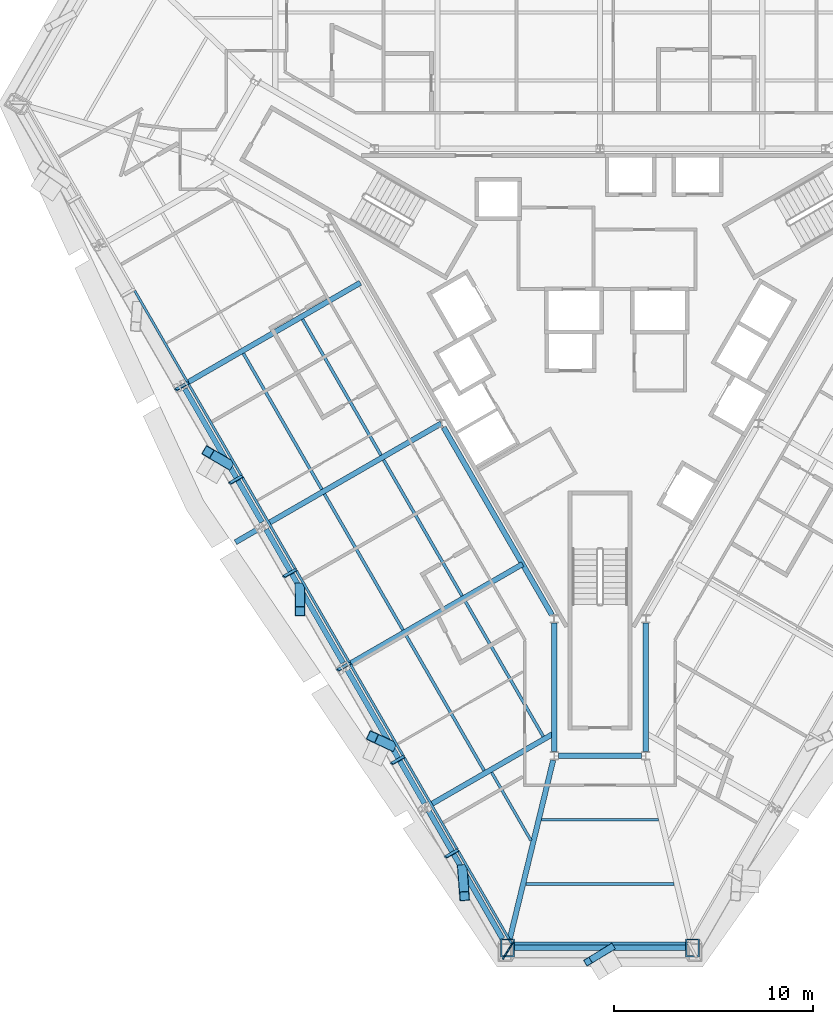
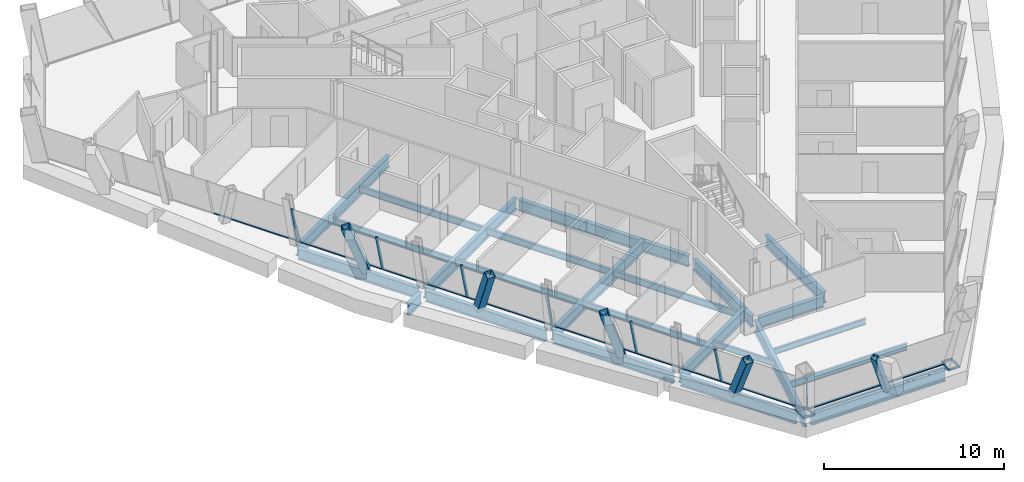
# One storey, part 3 of 14: 24 beams, 22 members, 2 elements without a shape of their own.
"""IFC4 building model written with IfcOpenShell, lengths in metres."""

from ifc_helpers import new_model, si_unit, direction, frame, origin, origin_2d, place, context, subcontext, project, spatial, rectangle, hollow_rectangle, i_section, extrude, material, material_profile, profile_set, type_object, element, aggregate, save


model = new_model("IFC4")

# Units and contexts
model_context = context("Model", 3, precision=1e-05, world=origin(), true_north=direction((0.0, 1.0)))
body_context = subcontext(model_context, "Body", "Model", "MODEL_VIEW")
ifc_project = project(units=[si_unit("LENGTHUNIT", "METRE"), si_unit("AREAUNIT", "SQUARE_METRE"), si_unit("VOLUMEUNIT", "CUBIC_METRE"), si_unit("PLANEANGLEUNIT", "RADIAN"), si_unit("MASSUNIT", "GRAM", prefix="KILO")], contexts=[model_context])

# Site, building, storey
site_placement = place(None, origin())
site = spatial("IfcSite", under=ifc_project, at=site_placement, CompositionType="ELEMENT")
building_placement = place(site_placement, origin())
building = spatial("IfcBuilding", under=site, at=building_placement, Name="Verrane Prism Tower", CompositionType="ELEMENT")
storey_placement = place(building_placement, frame((0.0, 0.0, 128.800048828125)))
storey = spatial("IfcBuildingStorey", under=building, at=storey_placement, Name="L31", CompositionType="ELEMENT", Elevation=128.800048828125)

# Member
ifc_material_1 = material(Name="Steel A500 Grade C", Category="steel")
ifc_material_profile_1 = material_profile(ifc_material_1, hollow_rectangle(XDim=0.355712890625, YDim=0.355712890625, WallThickness=0.0126953125, InnerFilletRadius=0.00634765625, OuterFilletRadius=0.01904296875, at=origin_2d()), Name="HSS14x14x1/2")
ifc_profile_set_1 = profile_set([ifc_material_profile_1], Name="Steel A500 Grade C")
member_type_1 = type_object("IfcMemberType", Name="Chamfer brace HSS14x14x1/2", PredefinedType="BRACE", material=ifc_profile_set_1)
member_1_placement = place(storey_placement, frame((0.548095703125, -30.93994140625, -0.2451171875), z_axis=(-0.35070035714, -0.212570385607, 0.912043360079), x_axis=(0.518345791571, -0.85517111759, 0.0)))
element("IfcMember", 1, at=member_1_placement, inside=storey, type_object=member_type_1, Name="Chamfer brace S0 L31", PredefinedType="BRACE", context=body_context, shape_type="SweptSolid", body=[
    extrude(hollow_rectangle(XDim=0.355712890625, YDim=0.355712890625, WallThickness=0.0126953125, InnerFilletRadius=0.00634765625, OuterFilletRadius=0.01904296875, at=origin_2d()), origin(), (0.0, 0.0, 1.0), 3.292724609375),
])

# Beams
ifc_material_2 = material(Name="Steel A992", Category="steel")
ifc_material_profile_2 = material_profile(ifc_material_2, i_section(OverallWidth=0.2666015625, OverallDepth=0.76708984375, WebThickness=0.014892578125, FlangeThickness=0.023681640625, FilletRadius=0.0166015625, at=origin_2d()), Name="W30x124")
ifc_profile_set_2 = profile_set([ifc_material_profile_2], Name="Steel A992")
beam_type_1 = type_object("IfcBeamType", Name="Chamfer spandrel beam W30x124", PredefinedType="SPANDREL", material=ifc_profile_set_2)
beam_1_placement = place(storey_placement, frame((-4.2900390625, -30.93994140625, -0.54345703125), z_axis=(1.0, 0.0, 0.0), x_axis=(0.0, 1.0, 0.0)))
element("IfcBeam", 2, at=beam_1_placement, inside=storey, type_object=beam_type_1, Name="Chamfer spandrel beam L31", PredefinedType="SPANDREL", context=body_context, shape_type="SweptSolid", body=[
    extrude(i_section(OverallWidth=0.2666015625, OverallDepth=0.76708984375, WebThickness=0.014892578125, FlangeThickness=0.023681640625, FilletRadius=0.0166015625, at=origin_2d()), origin(), (0.0, 0.0, 1.0), 8.580078125),
])
ifc_material_3 = material(Name="Steel A992", Category="steel")
ifc_material_profile_3 = material_profile(ifc_material_3, i_section(OverallWidth=0.2666015625, OverallDepth=0.7568359375, WebThickness=0.013916015625, FlangeThickness=0.019287109375, FilletRadius=0.0166015625, at=origin_2d()), Name="W30x108")
ifc_profile_set_3 = profile_set([ifc_material_profile_3], Name="Steel A992")
beam_type_2 = type_object("IfcBeamType", Name="Core ring girder W30x108", PredefinedType="BEAM", material=ifc_profile_set_3)
beam_2_placement = place(storey_placement, frame((-7.85498046875, -4.79931640625, -0.628662109375), z_axis=(0.500034555306, -0.86600545235, 0.0), x_axis=(0.86600545235, 0.500034555306, 0.0)))
element("IfcBeam", 3, at=beam_2_placement, inside=storey, type_object=beam_type_2, Name="Core ring girder L31", PredefinedType="BEAM", context=body_context, shape_type="SweptSolid", body=[
    extrude(i_section(OverallWidth=0.2666015625, OverallDepth=0.7568359375, WebThickness=0.013916015625, FlangeThickness=0.019287109375, FilletRadius=0.0166015625, at=origin_2d()), origin(), (0.0, 0.0, 1.0), 10.879150390625),
])
beam_3_placement = place(storey_placement, frame((-2.300048828125, -14.619384765625, -0.628662109375), z_axis=(0.0, -1.0, 0.0), x_axis=(1.0, 0.0, 0.0)))
element("IfcBeam", 4, at=beam_3_placement, inside=storey, type_object=beam_type_2, Name="Core ring girder L31", PredefinedType="BEAM", context=body_context, shape_type="SweptSolid", body=[
    extrude(i_section(OverallWidth=0.2666015625, OverallDepth=0.7568359375, WebThickness=0.013916015625, FlangeThickness=0.019287109375, FilletRadius=0.0166015625, at=origin_2d()), origin(), (0.0, 0.0, 1.0), 6.46337890625),
])
beam_4_placement = place(storey_placement, frame((-2.09423828125, -21.300048828125, -0.628662109375), z_axis=(1.0, 0.0, 0.0), x_axis=(0.0, 1.0, 0.0)))
element("IfcBeam", 5, at=beam_4_placement, inside=storey, type_object=beam_type_2, Name="Core ring girder L31", PredefinedType="BEAM", context=body_context, shape_type="SweptSolid", body=[
    extrude(i_section(OverallWidth=0.2666015625, OverallDepth=0.7568359375, WebThickness=0.013916015625, FlangeThickness=0.019287109375, FilletRadius=0.0166015625, at=origin_2d()), origin(), (0.0, 0.0, 1.0), 4.1884765625),
])
beam_5_placement = place(storey_placement, frame((2.300048828125, -21.082763671875, -0.628662109375), z_axis=(0.0, 1.0, 0.0), x_axis=(-1.0, 0.0, 0.0)))
element("IfcBeam", 6, at=beam_5_placement, inside=storey, type_object=beam_type_2, Name="Core ring girder L31", PredefinedType="BEAM", context=body_context, shape_type="SweptSolid", body=[
    extrude(i_section(OverallWidth=0.2666015625, OverallDepth=0.7568359375, WebThickness=0.013916015625, FlangeThickness=0.019287109375, FilletRadius=0.0166015625, at=origin_2d()), origin(), (0.0, 0.0, 1.0), 6.46337890625),
])
ifc_material_4 = material(Name="Steel A992", Category="steel")
ifc_material_profile_4 = material_profile(ifc_material_4, i_section(OverallWidth=0.2666015625, OverallDepth=0.76708984375, WebThickness=0.014892578125, FlangeThickness=0.023681640625, FilletRadius=0.0166015625, at=origin_2d()), Name="W30x124")
ifc_profile_set_4 = profile_set([ifc_material_profile_4], Name="Steel A992")
beam_type_3 = type_object("IfcBeamType", Name="Corner girder W30x124", PredefinedType="BEAM", material=ifc_profile_set_4)
beam_6_placement = place(storey_placement, frame((-4.639404296875, -30.93798828125, -0.603515625), z_axis=(0.235869588092, 0.971784717627, 0.0), x_axis=(-0.971784717627, 0.235869588092, 0.0)))
element("IfcBeam", 7, at=beam_6_placement, inside=storey, type_object=beam_type_3, Name="Corner girder L31", PredefinedType="BEAM", context=body_context, shape_type="SweptSolid", body=[
    extrude(i_section(OverallWidth=0.2666015625, OverallDepth=0.76708984375, WebThickness=0.014892578125, FlangeThickness=0.023681640625, FilletRadius=0.0166015625, at=origin_2d()), origin(), (0.0, 0.0, 1.0), 9.6943359375),
])

# Members
ifc_material_5 = material(Name="Steel A1085 Grade A", Category="steel")
ifc_material_profile_5 = material_profile(ifc_material_5, hollow_rectangle(XDim=0.508056640625, YDim=0.508056640625, WallThickness=0.025390625, InnerFilletRadius=0.0126953125, OuterFilletRadius=0.0380859375, at=origin_2d()), Name="HSS20x20x1")
ifc_profile_set_5 = profile_set([ifc_material_profile_5], Name="Steel A1085 Grade A")
member_type_2 = type_object("IfcMemberType", Name="Facade brace HSS20x20x1", PredefinedType="BRACE", material=ifc_profile_set_5)
member_2_placement = place(storey_placement, frame((-18.678955078125, -6.626953125, -0.24267578125), z_axis=(-0.314843865526, 0.184660044959, 0.931006986084), x_axis=(-0.50591604812, -0.862582721978, 0.0)))
element("IfcMember", 8, at=member_2_placement, inside=storey, type_object=member_type_2, Name="Facade brace SW2 L31", PredefinedType="BRACE", context=body_context, shape_type="SweptSolid", body=[
    extrude(hollow_rectangle(XDim=0.508056640625, YDim=0.508056640625, WallThickness=0.025390625, InnerFilletRadius=0.0126953125, OuterFilletRadius=0.0380859375, at=origin_2d()), origin(), (0.0, 0.0, 1.0), 3.231201171875),
])
member_3_placement = place(storey_placement, frame((-15.080810546875, -12.85791015625, -0.24267578125), z_axis=(0.002491623519, -0.366646176077, 0.930357121422), x_axis=(0.999976909917, 0.006795559726, 0.0)))
element("IfcMember", 9, at=member_3_placement, inside=storey, type_object=member_type_2, Name="Facade brace SW3 L31", PredefinedType="BRACE", context=body_context, shape_type="SweptSolid", body=[
    extrude(hollow_rectangle(XDim=0.508056640625, YDim=0.508056640625, WallThickness=0.025390625, InnerFilletRadius=0.0126953125, OuterFilletRadius=0.0380859375, at=origin_2d()), origin(), (0.0, 0.0, 1.0), 3.2333984375),
])
member_4_placement = place(storey_placement, frame((-10.509765625, -20.77294921875, -0.24267578125), z_axis=(-0.290894533726, 0.136263146181, 0.947001966862), x_axis=(-0.424194800426, -0.905570964249, 0.0)))
element("IfcMember", 10, at=member_4_placement, inside=storey, type_object=member_type_2, Name="Facade brace SW4 L31", PredefinedType="BRACE", context=body_context, shape_type="SweptSolid", body=[
    extrude(hollow_rectangle(XDim=0.508056640625, YDim=0.508056640625, WallThickness=0.025390625, InnerFilletRadius=0.0126953125, OuterFilletRadius=0.0380859375, at=origin_2d()), origin(), (0.0, 0.0, 1.0), 3.1767578125),
])
member_5_placement = place(storey_placement, frame((-6.91162109375, -27.003662109375, -0.24267578125), z_axis=(0.03073205858, -0.407958821002, 0.912482953782), x_axis=(0.997174618858, 0.075118436527, 0.0)))
element("IfcMember", 11, at=member_5_placement, inside=storey, type_object=member_type_2, Name="Facade brace SW5 L31", PredefinedType="BRACE", context=body_context, shape_type="SweptSolid", body=[
    extrude(hollow_rectangle(XDim=0.508056640625, YDim=0.508056640625, WallThickness=0.025390625, InnerFilletRadius=0.0126953125, OuterFilletRadius=0.0380859375, at=origin_2d()), origin(), (0.0, 0.0, 1.0), 3.296875),
])

# Beams
ifc_material_6 = material(Name="Steel A992", Category="steel")
ifc_material_profile_6 = material_profile(ifc_material_6, i_section(OverallWidth=0.140380859375, OverallDepth=0.40380859375, WebThickness=0.007080078125, FlangeThickness=0.01123046875, FilletRadius=0.01025390625, at=origin_2d()), Name="W16x31")
ifc_profile_set_6 = profile_set([ifc_material_profile_6], Name="Steel A992")
beam_type_4 = type_object("IfcBeamType", Name="Floor beam W16x31", PredefinedType="BEAM", material=ifc_profile_set_6)
beam_7_placement = place(storey_placement, frame((-3.46923828125, -25.55126953125, -0.362060546875), z_axis=(-0.499995367196, 0.866028078518, 0.0), x_axis=(-0.866028078518, -0.499995367196, 0.0)))
element("IfcBeam", 12, at=beam_7_placement, inside=storey, type_object=beam_type_4, Name="Floor beam L31", PredefinedType="BEAM", context=body_context, shape_type="SweptSolid", body=[
    extrude(i_section(OverallWidth=0.140380859375, OverallDepth=0.40380859375, WebThickness=0.007080078125, FlangeThickness=0.01123046875, FilletRadius=0.01025390625, at=origin_2d()), origin(), (0.0, 0.0, 1.0), 3.94921875),
])
beam_8_placement = place(storey_placement, frame((-2.942626953125, -24.51318359375, -0.362060546875), z_axis=(1.0, 0.0, 0.0), x_axis=(0.0, 1.0, 0.0)))
element("IfcBeam", 13, at=beam_8_placement, inside=storey, type_object=beam_type_4, Name="Floor beam L31", PredefinedType="BEAM", context=body_context, shape_type="SweptSolid", body=[
    extrude(i_section(OverallWidth=0.140380859375, OverallDepth=0.40380859375, WebThickness=0.007080078125, FlangeThickness=0.01123046875, FilletRadius=0.01025390625, at=origin_2d()), origin(), (0.0, 0.0, 1.0), 5.88525390625),
])
ifc_material_7 = material(Name="Steel A992", Category="steel")
ifc_material_profile_7 = material_profile(ifc_material_7, i_section(OverallWidth=0.15234375, OverallDepth=0.449462890625, WebThickness=0.007568359375, FlangeThickness=0.0107421875, FilletRadius=0.01025390625, at=origin_2d()), Name="W18x35")
ifc_profile_set_7 = profile_set([ifc_material_profile_7], Name="Steel A992")
beam_type_5 = type_object("IfcBeamType", Name="Floor beam W18x35", PredefinedType="BEAM", material=ifc_profile_set_7)
beam_9_placement = place(storey_placement, frame((-11.001708984375, -6.19482421875, -0.384765625), z_axis=(-0.50000639086, 0.866021713988, 0.0), x_axis=(-0.866021713988, -0.50000639086, 0.0)))
element("IfcBeam", 14, at=beam_9_placement, inside=storey, type_object=beam_type_5, Name="Floor beam L31", PredefinedType="BEAM", context=body_context, shape_type="SweptSolid", body=[
    extrude(i_section(OverallWidth=0.15234375, OverallDepth=0.449462890625, WebThickness=0.007568359375, FlangeThickness=0.0107421875, FilletRadius=0.01025390625, at=origin_2d()), origin(), (0.0, 0.0, 1.0), 7.8896484375),
])
beam_10_placement = place(storey_placement, frame((-13.9755859375, -7.910400390625, -0.384765625), z_axis=(-0.500013573458, 0.866017567003, 0.0), x_axis=(-0.866017567003, -0.500013573458, 0.0)))
element("IfcBeam", 15, at=beam_10_placement, inside=storey, type_object=beam_type_5, Name="Floor beam L31", PredefinedType="BEAM", context=body_context, shape_type="SweptSolid", body=[
    extrude(i_section(OverallWidth=0.15234375, OverallDepth=0.449462890625, WebThickness=0.007568359375, FlangeThickness=0.0107421875, FilletRadius=0.01025390625, at=origin_2d()), origin(), (0.0, 0.0, 1.0), 7.888427734375),
])
for number, where, z_axis, x_axis, name in (
    (16, (-6.92578125, -13.26708984375, -0.384765625), (-0.500013303288, 0.866017722991, 0.0), (-0.866017722991, -0.500013303288, 0.0), "Floor beam L31"),
    (17, (-9.896240234375, -14.980712890625, -0.384765625), (-0.500013303288, 0.866017722991, 0.0), (-0.866017722991, -0.500013303288, 0.0), "Floor beam L31"),
):
    element("IfcBeam", number, at=place(storey_placement, frame(where, z_axis=z_axis, x_axis=x_axis)), inside=storey, type_object=beam_type_5, Name=name, PredefinedType="BEAM", context=body_context, shape_type="SweptSolid", body=[
        extrude(i_section(OverallWidth=0.15234375, OverallDepth=0.449462890625, WebThickness=0.007568359375, FlangeThickness=0.0107421875, FilletRadius=0.01025390625, at=origin_2d()), origin(), (0.0, 0.0, 1.0), 7.895751953125),
    ])
beam_11_placement = place(storey_placement, frame((-2.85107421875, -20.32421875, -0.384765625), z_axis=(-0.499996836462, 0.866027230246, 0.0), x_axis=(-0.866027230246, -0.499996836462, 0.0)))
element("IfcBeam", 18, at=beam_11_placement, inside=storey, type_object=beam_type_5, Name="Floor beam L31", PredefinedType="BEAM", context=body_context, shape_type="SweptSolid", body=[
    extrude(i_section(OverallWidth=0.15234375, OverallDepth=0.449462890625, WebThickness=0.007568359375, FlangeThickness=0.0107421875, FilletRadius=0.01025390625, at=origin_2d()), origin(), (0.0, 0.0, 1.0), 7.8818359375),
])
beam_12_placement = place(storey_placement, frame((-5.8203125, -22.040283203125, -0.384765625), z_axis=(-0.500002097505, 0.866024192786, 0.0), x_axis=(-0.866024192786, -0.500002097505, 0.0)))
element("IfcBeam", 19, at=beam_12_placement, inside=storey, type_object=beam_type_5, Name="Floor beam L31", PredefinedType="BEAM", context=body_context, shape_type="SweptSolid", body=[
    extrude(i_section(OverallWidth=0.15234375, OverallDepth=0.449462890625, WebThickness=0.007568359375, FlangeThickness=0.0107421875, FilletRadius=0.01025390625, at=origin_2d()), origin(), (0.0, 0.0, 1.0), 7.884765625),
])
beam_13_placement = place(storey_placement, frame((-3.72265625, -27.726806640625, -0.384765625), z_axis=(1.0, 0.0, 0.0), x_axis=(0.0, 1.0, 0.0)))
element("IfcBeam", 20, at=beam_13_placement, inside=storey, type_object=beam_type_5, Name="Floor beam L31", PredefinedType="BEAM", context=body_context, shape_type="SweptSolid", body=[
    extrude(i_section(OverallWidth=0.15234375, OverallDepth=0.449462890625, WebThickness=0.007568359375, FlangeThickness=0.0107421875, FilletRadius=0.01025390625, at=origin_2d()), origin(), (0.0, 0.0, 1.0), 7.4453125),
])

# Members
ifc_material_8 = material(Name="Steel A572 Grade 50", Category="steel")
ifc_material_profile_8 = material_profile(ifc_material_8, hollow_rectangle(XDim=0.699951171875, YDim=0.89990234375, WallThickness=0.06494140625, at=origin_2d()), Name="BOX 900x700x65")
ifc_profile_set_8 = profile_set([ifc_material_profile_8], Name="Steel A572 Grade 50")
member_type_3 = type_object("IfcMemberType", Name="Kink node BOX 900x700x65", PredefinedType="COLLAR", material=ifc_profile_set_8)
for number, where, z_axis, x_axis, name in (
    (21, (-4.644287109375, -30.947265625, -0.074951171875), (0.0, 0.0, 1.0), (-1.0, 0.0, 0.0), "Kink node MC3 L31"),
    (22, (4.644287109375, -30.947265625, -0.074951171875), (0.0, 0.0, 1.0), (-1.0, 0.0, 0.0), "Kink node MC3 L31"),
):
    element("IfcMember", number, at=place(storey_placement, frame(where, z_axis=z_axis, x_axis=x_axis)), inside=storey, type_object=member_type_3, Name=name, PredefinedType="COLLAR", context=body_context, shape_type="SweptSolid", body=[
        extrude(hollow_rectangle(XDim=0.699951171875, YDim=0.89990234375, WallThickness=0.06494140625, at=origin_2d()), origin(), (0.0, 0.0, 1.0), 0.14990234375),
    ])

# Curtain wall, members
ifc_material_9 = material(Name="Aluminium framed insulated glazing", Category="aluminium")
curtain_wall_type_1 = type_object("IfcCurtainWallType", Name="Curtain wall CW-B 5600 module", PredefinedType="NOTDEFINED", material=ifc_material_9)
curtain_wall_1_placement = place(storey_placement, origin())
curtain_wall_1 = element("IfcCurtainWall", 23, at=curtain_wall_1_placement, inside=storey, type_object=curtain_wall_type_1, Name="Glazed curtain wall south-west face L31", PredefinedType="NOTDEFINED")
ifc_material_10 = material(Name="Aluminium alloy 6063-T6", Category="aluminium")
ifc_material_profile_9 = material_profile(ifc_material_10, rectangle(XDim=0.159912109375, YDim=0.06005859375, at=origin_2d()), Name="Mullion 60x160 aluminium")
ifc_profile_set_9 = profile_set([ifc_material_profile_9], Name="Aluminium alloy 6063-T6")
member_type_4 = type_object("IfcMemberType", Name="Mullion 60x160 aluminium", PredefinedType="MULLION", material=ifc_profile_set_9)
member_6_placement = place(storey_placement, frame((-20.70361328125, -2.562255859375, 0.0), z_axis=(-0.224110998518, -0.129339935915, 0.965942773316), x_axis=(0.851192117884, -0.508658362724, 0.129377928885)))
member_6 = element("IfcMember", 24, at=member_6_placement, type_object=member_type_4, Name="CW29.4 mullion 4", PredefinedType="MULLION", context=body_context, shape_type="SweptSolid", body=[
    extrude(rectangle(XDim=0.159912109375, YDim=0.06005859375, at=origin_2d()), origin(), (0.0, 0.0, 1.0), 2.704833984375),
])
member_7_placement = place(storey_placement, frame((-17.99267578125, -7.2578125, 0.0), z_axis=(-0.224110998518, -0.129339935915, 0.965942773316), x_axis=(0.851192117884, -0.508658362724, 0.129377928885)))
member_7 = element("IfcMember", 25, at=member_7_placement, type_object=member_type_4, Name="CW29.4 mullion 5", PredefinedType="MULLION", context=body_context, shape_type="SweptSolid", body=[
    extrude(rectangle(XDim=0.159912109375, YDim=0.06005859375, at=origin_2d()), origin(), (0.0, 0.0, 1.0), 2.704833984375),
])
member_8_placement = place(storey_placement, frame((-15.28173828125, -11.953369140625, 0.0), z_axis=(-0.224110998518, -0.129339935915, 0.965942773316), x_axis=(0.851192117884, -0.508658362724, 0.129377928885)))
member_8 = element("IfcMember", 26, at=member_8_placement, type_object=member_type_4, Name="CW29.4 mullion 6", PredefinedType="MULLION", context=body_context, shape_type="SweptSolid", body=[
    extrude(rectangle(XDim=0.159912109375, YDim=0.06005859375, at=origin_2d()), origin(), (0.0, 0.0, 1.0), 2.704833984375),
])
member_9_placement = place(storey_placement, frame((-12.57080078125, -16.648681640625, 0.0), z_axis=(-0.224108381383, -0.129428682603, 0.965931493178), x_axis=(0.851340840511, -0.508404048805, 0.129398981592)))
member_9 = element("IfcMember", 27, at=member_9_placement, type_object=member_type_4, Name="CW29.4 mullion 7", PredefinedType="MULLION", context=body_context, shape_type="SweptSolid", body=[
    extrude(rectangle(XDim=0.159912109375, YDim=0.06005859375, at=origin_2d()), origin(), (0.0, 0.0, 1.0), 2.704833984375),
])
member_10_placement = place(storey_placement, frame((-9.85986328125, -21.34423828125, 0.0), z_axis=(-0.224108381383, -0.129428682603, 0.965931493178), x_axis=(0.851340840511, -0.508404048805, 0.129398981592)))
member_10 = element("IfcMember", 28, at=member_10_placement, type_object=member_type_4, Name="CW29.4 mullion 8", PredefinedType="MULLION", context=body_context, shape_type="SweptSolid", body=[
    extrude(rectangle(XDim=0.159912109375, YDim=0.06005859375, at=origin_2d()), origin(), (0.0, 0.0, 1.0), 2.704833984375),
])
member_11_placement = place(storey_placement, frame((-7.14892578125, -26.039794921875, 0.0), z_axis=(-0.224108381383, -0.129428682603, 0.965931493178), x_axis=(0.851340840511, -0.508404048805, 0.129398981592)))
member_11 = element("IfcMember", 29, at=member_11_placement, type_object=member_type_4, Name="CW29.4 mullion 9", PredefinedType="MULLION", context=body_context, shape_type="SweptSolid", body=[
    extrude(rectangle(XDim=0.159912109375, YDim=0.06005859375, at=origin_2d()), origin(), (0.0, 0.0, 1.0), 2.704833984375),
])

# Curtain wall, member
ifc_material_11 = material(Name="Aluminium framed insulated glazing", Category="aluminium")
curtain_wall_type_2 = type_object("IfcCurtainWallType", Name="Curtain wall CW-A 8400 module", PredefinedType="NOTDEFINED", material=ifc_material_11)
curtain_wall_2_placement = place(storey_placement, origin())
curtain_wall_2 = element("IfcCurtainWall", 30, at=curtain_wall_2_placement, inside=storey, type_object=curtain_wall_type_2, Name="Glazed curtain wall south corner L31", PredefinedType="NOTDEFINED")
ifc_material_12 = material(Name="Aluminium alloy 6063-T6", Category="aluminium")
ifc_material_profile_10 = material_profile(ifc_material_12, rectangle(XDim=0.199951171875, YDim=0.070068359375, at=origin_2d()), Name="Mullion 70x200 aluminium")
ifc_profile_set_10 = profile_set([ifc_material_profile_10], Name="Aluminium alloy 6063-T6")
member_type_5 = type_object("IfcMemberType", Name="Mullion 70x200 aluminium", PredefinedType="MULLION", material=ifc_profile_set_10)
member_12_placement = place(storey_placement, frame((-4.40283203125, -30.7353515625, 0.0), z_axis=(-0.160184271614, -0.255510840371, 0.953443868081), x_axis=(0.506437769687, 0.807821759434, 0.301570539708)))
member_12 = element("IfcMember", 31, at=member_12_placement, type_object=member_type_5, Name="CW29.5 mullion 1", PredefinedType="MULLION", context=body_context, shape_type="SweptSolid", body=[
    extrude(rectangle(XDim=0.199951171875, YDim=0.070068359375, at=origin_2d()), origin(), (0.0, 0.0, 1.0), 2.740478515625),
])

# Beams
ifc_material_13 = material(Name="Steel A992", Category="steel")
ifc_material_profile_11 = material_profile(ifc_material_13, i_section(OverallWidth=0.2666015625, OverallDepth=0.76708984375, WebThickness=0.014892578125, FlangeThickness=0.023681640625, FilletRadius=0.0166015625, at=origin_2d()), Name="W30x124")
ifc_profile_set_11 = profile_set([ifc_material_profile_11], Name="Steel A992")
beam_type_6 = type_object("IfcBeamType", Name="Radial girder W30x124", PredefinedType="BEAM", material=ifc_profile_set_11)
beam_14_placement = place(storey_placement, frame((-20.76318359375, -2.56640625, -0.603515625), z_axis=(0.866026084844, 0.499998820369, 0.0), x_axis=(-0.499998820369, 0.866026084844, 0.0)))
element("IfcBeam", 32, at=beam_14_placement, inside=storey, type_object=beam_type_6, Name="Radial girder L31", PredefinedType="BEAM", context=body_context, shape_type="SweptSolid", body=[
    extrude(i_section(OverallWidth=0.2666015625, OverallDepth=0.76708984375, WebThickness=0.014892578125, FlangeThickness=0.023681640625, FilletRadius=0.0166015625, at=origin_2d()), origin(), (0.0, 0.0, 1.0), 10.068359375),
])
beam_15_placement = place(storey_placement, frame((-16.68310546875, -9.626220703125, -0.603515625), z_axis=(0.866036042541, 0.49998157268, 0.0), x_axis=(-0.49998157268, 0.866036042541, 0.0)))
element("IfcBeam", 33, at=beam_15_placement, inside=storey, type_object=beam_type_6, Name="Radial girder L31", PredefinedType="BEAM", context=body_context, shape_type="SweptSolid", body=[
    extrude(i_section(OverallWidth=0.2666015625, OverallDepth=0.76708984375, WebThickness=0.014892578125, FlangeThickness=0.023681640625, FilletRadius=0.0166015625, at=origin_2d()), origin(), (0.0, 0.0, 1.0), 10.05908203125),
])
beam_16_placement = place(storey_placement, frame((-12.60302734375, -16.6962890625, -0.603515625), z_axis=(0.866030409726, 0.499991329354, 0.0), x_axis=(-0.499991329354, 0.866030409726, 0.0)))
element("IfcBeam", 34, at=beam_16_placement, inside=storey, type_object=beam_type_6, Name="Radial girder L31", PredefinedType="BEAM", context=body_context, shape_type="SweptSolid", body=[
    extrude(i_section(OverallWidth=0.2666015625, OverallDepth=0.76708984375, WebThickness=0.014892578125, FlangeThickness=0.023681640625, FilletRadius=0.0166015625, at=origin_2d()), origin(), (0.0, 0.0, 1.0), 10.060791015625),
])
beam_17_placement = place(storey_placement, frame((-8.523193359375, -23.75634765625, -0.603515625), z_axis=(0.866020377705, 0.500008705323, 0.0), x_axis=(-0.500008705323, 0.866020377705, 0.0)))
element("IfcBeam", 35, at=beam_17_placement, inside=storey, type_object=beam_type_6, Name="Radial girder L31", PredefinedType="BEAM", context=body_context, shape_type="SweptSolid", body=[
    extrude(i_section(OverallWidth=0.2666015625, OverallDepth=0.76708984375, WebThickness=0.014892578125, FlangeThickness=0.023681640625, FilletRadius=0.0166015625, at=origin_2d()), origin(), (0.0, 0.0, 1.0), 7.185791015625),
])
beam_18_placement = place(storey_placement, frame((-17.073486328125, -9.851806640625, -0.603515625), z_axis=(-0.866063538972, -0.499933942099, 0.0), x_axis=(0.499933942099, -0.866063538972, 0.0)))
element("IfcBeam", 36, at=beam_18_placement, inside=storey, type_object=beam_type_6, Name="Cantilever girder L31", PredefinedType="BEAM", context=body_context, shape_type="SweptSolid", body=[
    extrude(i_section(OverallWidth=0.2666015625, OverallDepth=0.76708984375, WebThickness=0.014892578125, FlangeThickness=0.023681640625, FilletRadius=0.0166015625, at=origin_2d()), origin(), (0.0, 0.0, 1.0), 1.432373046875),
])
ifc_material_14 = material(Name="Steel A992", Category="steel")
ifc_material_profile_12 = material_profile(ifc_material_14, i_section(OverallWidth=0.2666015625, OverallDepth=0.7568359375, WebThickness=0.013916015625, FlangeThickness=0.019287109375, FilletRadius=0.0166015625, at=origin_2d()), Name="W30x108")
ifc_profile_set_12 = profile_set([ifc_material_profile_12], Name="Steel A992")
beam_type_7 = type_object("IfcBeamType", Name="Spandrel beam W30x108", PredefinedType="SPANDREL", material=ifc_profile_set_12)
beam_19_placement = place(storey_placement, frame((-20.85498046875, -2.861328125, -0.53857421875), z_axis=(0.500334388905, -0.865832258165, 0.0), x_axis=(0.865832258165, 0.500334388905, 0.0)))
element("IfcBeam", 37, at=beam_19_placement, inside=storey, type_object=beam_type_7, Name="Spandrel beam L31", PredefinedType="SPANDREL", context=body_context, shape_type="SweptSolid", body=[
    extrude(i_section(OverallWidth=0.2666015625, OverallDepth=0.7568359375, WebThickness=0.013916015625, FlangeThickness=0.019287109375, FilletRadius=0.0166015625, at=origin_2d()), origin(), (0.0, 0.0, 1.0), 7.735107421875),
])
beam_20_placement = place(storey_placement, frame((-16.775390625, -9.92138671875, -0.53857421875), z_axis=(0.499835262026, -0.866120494409, 0.0), x_axis=(0.866120494409, 0.499835262026, 0.0)))
element("IfcBeam", 38, at=beam_20_placement, inside=storey, type_object=beam_type_7, Name="Spandrel beam L31", PredefinedType="SPANDREL", context=body_context, shape_type="SweptSolid", body=[
    extrude(i_section(OverallWidth=0.2666015625, OverallDepth=0.7568359375, WebThickness=0.013916015625, FlangeThickness=0.019287109375, FilletRadius=0.0166015625, at=origin_2d()), origin(), (0.0, 0.0, 1.0), 7.74365234375),
])
beam_21_placement = place(storey_placement, frame((-12.695068359375, -16.991455078125, -0.53857421875), z_axis=(0.500334388905, -0.865832258165, 0.0), x_axis=(0.865832258165, 0.500334388905, 0.0)))
element("IfcBeam", 39, at=beam_21_placement, inside=storey, type_object=beam_type_7, Name="Spandrel beam L31", PredefinedType="SPANDREL", context=body_context, shape_type="SweptSolid", body=[
    extrude(i_section(OverallWidth=0.2666015625, OverallDepth=0.7568359375, WebThickness=0.013916015625, FlangeThickness=0.019287109375, FilletRadius=0.0166015625, at=origin_2d()), origin(), (0.0, 0.0, 1.0), 7.735107421875),
])
beam_22_placement = place(storey_placement, frame((-8.615234375, -24.051513671875, -0.53857421875), z_axis=(0.499830490961, -0.866123247757, 0.0), x_axis=(0.866123247757, 0.499830490961, 0.0)))
element("IfcBeam", 40, at=beam_22_placement, inside=storey, type_object=beam_type_7, Name="Spandrel beam L31", PredefinedType="SPANDREL", context=body_context, shape_type="SweptSolid", body=[
    extrude(i_section(OverallWidth=0.2666015625, OverallDepth=0.7568359375, WebThickness=0.013916015625, FlangeThickness=0.019287109375, FilletRadius=0.0166015625, at=origin_2d()), origin(), (0.0, 0.0, 1.0), 7.43359375),
])

# Member
ifc_material_15 = material(Name="Aluminium alloy 6063-T6", Category="aluminium")
ifc_material_profile_13 = material_profile(ifc_material_15, rectangle(XDim=0.1201171875, YDim=0.06005859375, at=origin_2d()), Name="Transom 60x120 aluminium")
ifc_profile_set_13 = profile_set([ifc_material_profile_13], Name="Aluminium alloy 6063-T6")
member_type_6 = type_object("IfcMemberType", Name="Transom 60x120 aluminium", PredefinedType="USERDEFINED", material=ifc_profile_set_13)
member_13_placement = place(storey_placement, frame((-23.399658203125, 2.107177734375, 0.030029296875), z_axis=(0.500012814349, -0.86601800529, 0.0), x_axis=(0.86601800529, 0.500012814349, 0.0)))
member_13 = element("IfcMember", 41, at=member_13_placement, type_object=member_type_6, Name="CW29.4 transom 3", ObjectType="TRANSOM", PredefinedType="USERDEFINED", context=body_context, shape_type="SweptSolid", body=[
    extrude(rectangle(XDim=0.1201171875, YDim=0.06005859375, at=origin_2d()), origin(), (0.0, 0.0, 1.0), 5.361572265625),
])

member_14_placement = place(storey_placement, frame((-20.688720703125, -2.588134765625, 0.030029296875), z_axis=(0.500027246275, -0.866009672569, 0.0), x_axis=(0.866009672569, 0.500027246275, 0.0)))
member_14 = element("IfcMember", 42, at=member_14_placement, type_object=member_type_6, Name="CW29.4 transom 4", ObjectType="TRANSOM", PredefinedType="USERDEFINED", context=body_context, shape_type="SweptSolid", body=[
    extrude(rectangle(XDim=0.1201171875, YDim=0.06005859375, at=origin_2d()), origin(), (0.0, 0.0, 1.0), 5.362060546875),
])

member_15_placement = place(storey_placement, frame((-17.977783203125, -7.28369140625, 0.030029296875), z_axis=(0.500027246275, -0.866009672569, 0.0), x_axis=(0.866009672569, 0.500027246275, 0.0)))
member_15 = element("IfcMember", 43, at=member_15_placement, type_object=member_type_6, Name="CW29.4 transom 5", ObjectType="TRANSOM", PredefinedType="USERDEFINED", context=body_context, shape_type="SweptSolid", body=[
    extrude(rectangle(XDim=0.1201171875, YDim=0.06005859375, at=origin_2d()), origin(), (0.0, 0.0, 1.0), 5.362060546875),
])

member_16_placement = place(storey_placement, frame((-15.2666015625, -11.979248046875, 0.030029296875), z_axis=(0.499993097703, -0.866029388791, 0.0), x_axis=(0.866029388791, 0.499993097703, 0.0)))
member_16 = element("IfcMember", 44, at=member_16_placement, type_object=member_type_6, Name="CW29.4 transom 6", ObjectType="TRANSOM", PredefinedType="USERDEFINED", context=body_context, shape_type="SweptSolid", body=[
    extrude(rectangle(XDim=0.1201171875, YDim=0.06005859375, at=origin_2d()), origin(), (0.0, 0.0, 1.0), 5.36181640625),
])

member_17_placement = place(storey_placement, frame((-12.5556640625, -16.6748046875, 0.030029296875), z_axis=(0.499993097703, -0.866029388791, 0.0), x_axis=(0.866029388791, 0.499993097703, 0.0)))
member_17 = element("IfcMember", 45, at=member_17_placement, type_object=member_type_6, Name="CW29.4 transom 7", ObjectType="TRANSOM", PredefinedType="USERDEFINED", context=body_context, shape_type="SweptSolid", body=[
    extrude(rectangle(XDim=0.1201171875, YDim=0.06005859375, at=origin_2d()), origin(), (0.0, 0.0, 1.0), 5.36181640625),
])

member_18_placement = place(storey_placement, frame((-9.8447265625, -21.370361328125, 0.030029296875), z_axis=(0.499993097703, -0.866029388791, 0.0), x_axis=(0.866029388791, 0.499993097703, 0.0)))
member_18 = element("IfcMember", 46, at=member_18_placement, type_object=member_type_6, Name="CW29.4 transom 8", ObjectType="TRANSOM", PredefinedType="USERDEFINED", context=body_context, shape_type="SweptSolid", body=[
    extrude(rectangle(XDim=0.1201171875, YDim=0.06005859375, at=origin_2d()), origin(), (0.0, 0.0, 1.0), 5.36181640625),
])

member_19_placement = place(storey_placement, frame((-7.1337890625, -26.065673828125, 0.030029296875), z_axis=(0.499966767414, -0.866044589777, 0.0), x_axis=(0.866044589777, 0.499966767414, 0.0)))
member_19 = element("IfcMember", 47, at=member_19_placement, type_object=member_type_6, Name="CW29.4 transom 9", ObjectType="TRANSOM", PredefinedType="USERDEFINED", context=body_context, shape_type="SweptSolid", body=[
    extrude(rectangle(XDim=0.1201171875, YDim=0.06005859375, at=origin_2d()), origin(), (0.0, 0.0, 1.0), 5.391845703125),
])

aggregate(curtain_wall_1, [member_6, member_7, member_8, member_9, member_10, member_11, member_13, member_14, member_15, member_16, member_17, member_18, member_19])

ifc_material_16 = material(Name="Aluminium alloy 6063-T6", Category="aluminium")
ifc_material_profile_14 = material_profile(ifc_material_16, rectangle(XDim=0.14990234375, YDim=0.070068359375, at=origin_2d()), Name="Transom 70x150 aluminium")
ifc_profile_set_14 = profile_set([ifc_material_profile_14], Name="Aluminium alloy 6063-T6")
member_type_7 = type_object("IfcMemberType", Name="Transom 70x150 aluminium", PredefinedType="USERDEFINED", material=ifc_profile_set_14)
member_20_placement = place(storey_placement, frame((-4.367919921875, -30.7353515625, 0.034912109375), z_axis=(1.0, 0.0, 0.0), x_axis=(0.0, 1.0, 0.0)))
member_20 = element("IfcMember", 48, at=member_20_placement, type_object=member_type_7, Name="CW29.5 transom 1", ObjectType="TRANSOM", PredefinedType="USERDEFINED", context=body_context, shape_type="SweptSolid", body=[
    extrude(rectangle(XDim=0.14990234375, YDim=0.070068359375, at=origin_2d()), origin(), (0.0, 0.0, 1.0), 8.805908203125),
])

aggregate(curtain_wall_2, [member_12, member_20])

save(model, "model.ifc")
